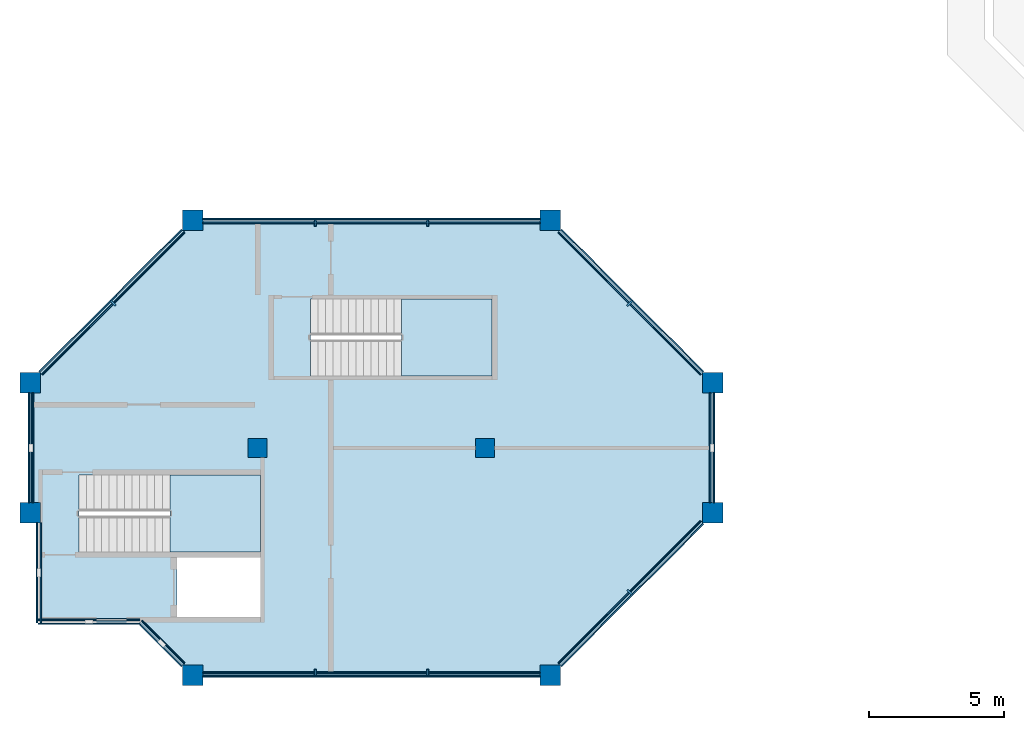
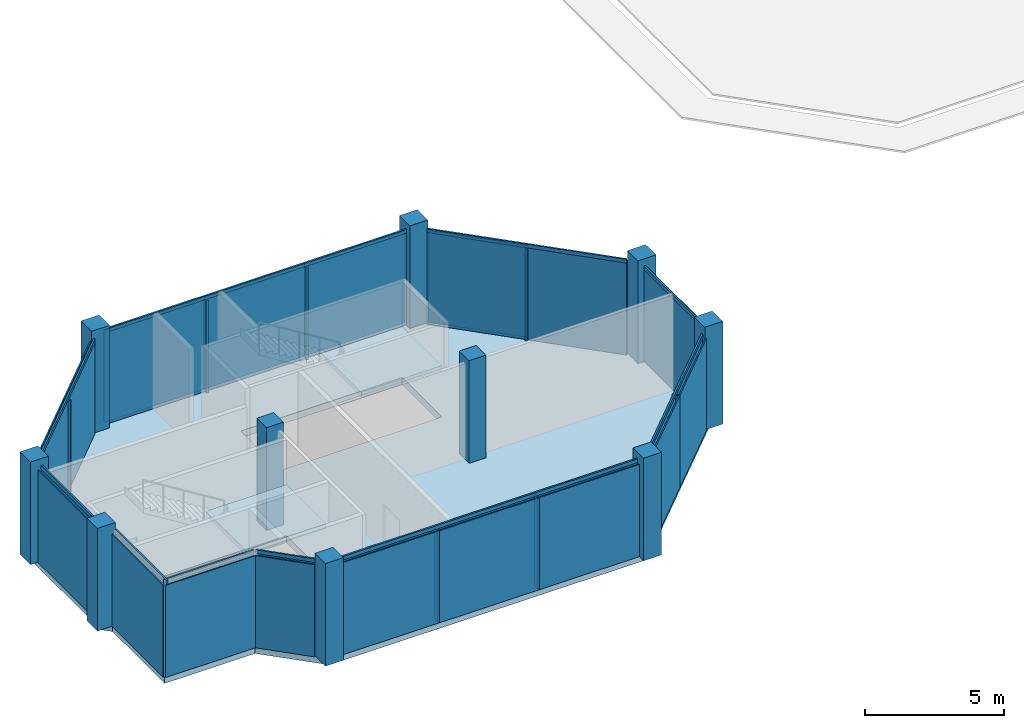
# One storey, part 1 of 4: 34 plates, 17 members, 10 columns, 3 slabs, 12 elements without a shape of their own.
"""IFC4 building model written with IfcOpenShell, lengths in metres."""

import ifcopenshell
import ifcopenshell.guid

model = None  # the IFC model being written
_history = None  # IfcOwnerHistory: only IFC2X3 demands one
_inside = {}  # id of a spatial element -> (the spatial element, [elements in it])
_under = {}  # id of a project, library or spatial element -> (it, [spatial elements below it])
_declared = {}  # id of a project -> (the project, [libraries it declares])
_typed = {}  # id of a type object -> (the type object, [elements of that type])
_made_of = {}  # id of a material, layer set ... -> (it, [elements and type objects made of it])


def new_model(schema):
    """Start an empty IFC model of exactly this schema.

    Asked for "IFC4X3", IfcOpenShell would pick the latest addendum, in which some entities
    have other attributes; the version numbers below select the first issue.
    IFC2X3 requires an IfcOwnerHistory on every rooted entity: one is made here for all.
    """
    global model, _history
    if schema == "IFC4X3":
        model = ifcopenshell.file(schema_version=(4, 3, 0, 0))
    else:
        model = ifcopenshell.file(schema=schema)
    _inside.clear()
    _under.clear()
    _declared.clear()
    _typed.clear()
    _made_of.clear()
    _history = None
    if model.schema == "IFC2X3":
        org = make("IfcOrganization", Name="unknown")
        user = make(
            "IfcPersonAndOrganization",
            ThePerson=make("IfcPerson", FamilyName="unknown"),
            TheOrganization=org,
        )
        app = make(
            "IfcApplication",
            ApplicationDeveloper=org,
            Version="unknown",
            ApplicationFullName="unknown",
            ApplicationIdentifier="unknown",
        )
        _history = make(
            "IfcOwnerHistory",
            OwningUser=user,
            OwningApplication=app,
            ChangeAction="ADDED",
            CreationDate=0,
        )
    return model


def make(cls, **values):
    """One entity of the class cls with the attributes given. An attribute that is None is left unset."""
    return model.create_entity(
        cls, **{name: value for name, value in values.items() if value is not None}
    )


def rooted(cls, **values):
    """An entity with a GlobalId (a new one), such as an element, a storey or a relation."""
    return make(cls, GlobalId=ifcopenshell.guid.new(), OwnerHistory=_history, **values)


def si_unit(unit_type, name, prefix=None):
    """IfcSIUnit, for example si_unit("LENGTHUNIT", "METRE", prefix="MILLI")."""
    return make("IfcSIUnit", UnitType=unit_type, Prefix=prefix, Name=name)


def assignment(units):
    """IfcUnitAssignment: the units of a project."""
    return None if units is None else make("IfcUnitAssignment", Units=units)


def point(xyz):
    """IfcCartesianPoint."""
    return None if xyz is None else make("IfcCartesianPoint", Coordinates=xyz)


def direction(xyz):
    """IfcDirection."""
    return None if xyz is None else make("IfcDirection", DirectionRatios=xyz)


def frame(location, z_axis=None, x_axis=None):
    """IfcAxis2Placement3D, a coordinate frame: its origin and axes. An axis left out is left unset."""
    return make(
        "IfcAxis2Placement3D",
        Location=point(location),
        Axis=direction(z_axis),
        RefDirection=direction(x_axis),
    )


def frame_2d(location, x_axis=None):
    """IfcAxis2Placement2D, a coordinate frame in the plane: its origin and x axis."""
    return make(
        "IfcAxis2Placement2D", Location=point(location), RefDirection=direction(x_axis)
    )


def origin():
    """The frame at (0, 0, 0) with its axes left unset."""
    return frame((0.0, 0.0, 0.0))


def origin_2d():
    """The frame at (0, 0) in the plane with its x axis left unset."""
    return frame_2d((0.0, 0.0))


def place(relative_to, where):
    """IfcLocalPlacement: puts the frame where relative to a parent placement (None: the world)."""
    return make(
        "IfcLocalPlacement", PlacementRelTo=relative_to, RelativePlacement=where
    )


def context(
    kind, dimensions, precision=None, world=None, true_north=None, identifier=None
):
    """IfcGeometricRepresentationContext, for example the 3D "Model" context."""
    return make(
        "IfcGeometricRepresentationContext",
        ContextIdentifier=identifier,
        ContextType=kind,
        CoordinateSpaceDimension=dimensions,
        Precision=precision,
        WorldCoordinateSystem=world,
        TrueNorth=true_north,
    )


def subcontext(parent, identifier, kind, view, scale=None):
    """IfcGeometricRepresentationSubContext, for example "Body" below "Model"."""
    return make(
        "IfcGeometricRepresentationSubContext",
        ContextIdentifier=identifier,
        ContextType=kind,
        ParentContext=parent,
        TargetScale=scale,
        TargetView=view,
    )


def project(units=None, contexts=None):
    """IfcProject with its units and contexts."""
    return rooted(
        "IfcProject",
        Name="project",
        RepresentationContexts=contexts,
        UnitsInContext=assignment(units),
    )


def spatial(cls, under=None, at=None, **own):
    """A site, building, storey or space (cls), placed at a placement, below another one or the project."""
    s = rooted(cls, ObjectPlacement=at, **own)
    if under is not None:
        _under.setdefault(under.id(), (under, []))[1].append(s)
    return s


def polyline(points):
    """IfcPolyline through the points."""
    return make("IfcPolyline", Points=[point(p) for p in points])


def profile(cls, at=None, kind="AREA", **sizes):
    """A parametric profile (cls). Its sizes go by their IFC names, for example OverallWidth=200.0."""
    return make(cls, ProfileType=kind, Position=at, **sizes)


def rectangle(**sizes):
    """IfcRectangleProfileDef."""
    return profile("IfcRectangleProfileDef", **sizes)


def outline(outer, holes=None, kind="AREA"):
    """IfcArbitraryClosedProfileDef: a profile drawn as a closed curve; with holes, ...WithVoids."""
    if holes is None:
        return make("IfcArbitraryClosedProfileDef", ProfileType=kind, OuterCurve=outer)
    return make(
        "IfcArbitraryProfileDefWithVoids",
        ProfileType=kind,
        OuterCurve=outer,
        InnerCurves=holes,
    )


def extrude(swept, where, along, depth):
    """IfcExtrudedAreaSolid: the profile swept, set in the frame where, extruded along a direction by depth."""
    return make(
        "IfcExtrudedAreaSolid",
        SweptArea=swept,
        Position=where,
        ExtrudedDirection=direction(along),
        Depth=depth,
    )


def shape(context_of_items, identifier, shape_type, items):
    """IfcShapeRepresentation: the items that make up one representation, for example the "Body"."""
    return make(
        "IfcShapeRepresentation",
        ContextOfItems=context_of_items,
        RepresentationIdentifier=identifier,
        RepresentationType=shape_type,
        Items=items,
    )


def material(Name=None, Category=None):
    """IfcMaterial."""
    return make("IfcMaterial", Name=Name, Category=Category)


def layer(
    of_material, thickness, ventilated=None, Name=None, Category=None, Priority=None
):
    """IfcMaterialLayer: one layer of a wall or slab, of a material (None: an air gap)."""
    return make(
        "IfcMaterialLayer",
        Material=of_material,
        LayerThickness=thickness,
        IsVentilated=ventilated,
        Name=Name,
        Category=Category,
        Priority=Priority,
    )


def layer_set(layers, Name=None):
    """IfcMaterialLayerSet."""
    return make("IfcMaterialLayerSet", MaterialLayers=layers, LayerSetName=Name)


def material_profile(
    of_material, cross_section, Name=None, Category=None, Priority=None
):
    """IfcMaterialProfile: a cross section and its material."""
    return make(
        "IfcMaterialProfile",
        Name=Name,
        Material=of_material,
        Profile=cross_section,
        Priority=Priority,
        Category=Category,
    )


def profile_set(profiles, Name=None, composite=None):
    """IfcMaterialProfileSet."""
    return make(
        "IfcMaterialProfileSet",
        Name=Name,
        MaterialProfiles=profiles,
        CompositeProfile=composite,
    )


def made_of(thing, what):
    """Note that an element or type object is made of a material, layer set ...; save() writes the relation."""
    if what is not None:
        _made_of.setdefault(what.id(), (what, []))[1].append(thing)
    return thing


def type_object(cls, material=None, **own):
    """A type object (cls), such as IfcWallType, which elements share."""
    return made_of(rooted(cls, **own), material)


def element(
    cls,
    number,
    at=None,
    inside=None,
    cuts=None,
    type_object=None,
    material=None,
    context=None,
    identifier="Body",
    shape_type=None,
    held_by="IfcProductDefinitionShape",
    body=None,
    shapes=None,
    **own,
):
    """One element of the class cls, such as IfcWall. Its Tag is "e" and its number.

    at: its placement. inside: the storey or other place that contains it. cuts: it is an
    opening in that element (IfcRelVoidsElement). A single representation is given by context,
    identifier, shape_type and body (its items); several are given by shapes. held_by: the class
    of the entity that holds the representations. save() writes the other relations.
    """
    e = rooted(cls, Tag="e%d" % number, ObjectPlacement=at, **own)
    if body is not None:
        shapes = [shape(context, identifier, shape_type, body)]
    if shapes is not None:
        e.Representation = make(held_by, Representations=shapes)
    if inside is not None:
        _inside.setdefault(inside.id(), (inside, []))[1].append(e)
    if cuts is not None:
        rooted(
            "IfcRelVoidsElement", RelatingBuildingElement=cuts, RelatedOpeningElement=e
        )
    if type_object is not None:
        _typed.setdefault(type_object.id(), (type_object, []))[1].append(e)
    return made_of(e, material)


def aggregate(whole, parts):
    """IfcRelAggregates: a whole, such as a stair, and the parts it consists of."""
    return rooted("IfcRelAggregates", RelatingObject=whole, RelatedObjects=parts)


def save(model, path):
    """Write the relations noted so far, then the file.

    IfcRelAggregates (storeys below a building ...), IfcRelContainedInSpatialStructure (elements
    in a storey), IfcRelDefinesByType, IfcRelAssociatesMaterial and IfcRelDeclares: one each for
    every whole, place, type object, material and project.
    """
    for whole, parts in _under.values():
        aggregate(whole, parts)
    for where, things in _inside.values():
        rooted(
            "IfcRelContainedInSpatialStructure",
            RelatedElements=things,
            RelatingStructure=where,
        )
    for kind, things in _typed.values():
        rooted("IfcRelDefinesByType", RelatedObjects=things, RelatingType=kind)
    for what, things in _made_of.values():
        rooted("IfcRelAssociatesMaterial", RelatedObjects=things, RelatingMaterial=what)
    for by, libraries in _declared.values():
        rooted("IfcRelDeclares", RelatingContext=by, RelatedDefinitions=libraries)
    model.write(path)


model = new_model("IFC4")

# Units and contexts
model_context = context("Model", 3, precision=1e-05, world=origin(), true_north=direction((0.0, 1.0)))
body_context = subcontext(model_context, "Body", "Model", "MODEL_VIEW")
ifc_project = project(units=[si_unit("LENGTHUNIT", "METRE"), si_unit("AREAUNIT", "SQUARE_METRE"), si_unit("VOLUMEUNIT", "CUBIC_METRE"), si_unit("PLANEANGLEUNIT", "RADIAN"), si_unit("MASSUNIT", "GRAM", prefix="KILO")], contexts=[model_context])

# Site, building, storey
site_placement = place(None, origin())
site = spatial("IfcSite", under=ifc_project, at=site_placement, CompositionType="ELEMENT")
building_placement = place(site_placement, origin())
building = spatial("IfcBuilding", under=site, at=building_placement, Name="Kawkab Arch Medical Tower", CompositionType="ELEMENT")
storey_placement = place(building_placement, frame((0.0, 0.0, 354.699951171875)))
storey = spatial("IfcBuildingStorey", under=building, at=storey_placement, Name="L82", CompositionType="ELEMENT", Elevation=354.699951171875)

# Columns
ifc_material_1 = material(Name="Concrete C40/50", Category="concrete")
ifc_material_profile_1 = material_profile(ifc_material_1, rectangle(XDim=0.699951171875, YDim=0.699951171875, at=origin_2d()), Name="RC 700x700")
ifc_profile_set_1 = profile_set([ifc_material_profile_1], Name="Concrete C40/50")
column_type_1 = type_object("IfcColumnType", Name="RC 700x700 column C40/50", PredefinedType="COLUMN", material=ifc_profile_set_1)
for number, where, z_axis, x_axis, name in (
    (1, (8.39990234375, -33.60009765625, 0.0), (0.0, 0.0, 1.0), (1.0, 0.0, 0.0), "Column RC 700x700"),
    (2, (16.800048828125, -33.60009765625, 0.0), (0.0, 0.0, 1.0), (1.0, 0.0, 0.0), "Column RC 700x700"),
):
    element("IfcColumn", number, at=place(storey_placement, frame(where, z_axis=z_axis, x_axis=x_axis)), inside=storey, type_object=column_type_1, Name=name, PredefinedType="COLUMN", context=body_context, shape_type="SweptSolid", body=[
        extrude(rectangle(XDim=0.699951171875, YDim=0.699951171875, at=origin_2d()), origin(), (0.0, 0.0, 1.0), 4.5),
    ])
ifc_material_2 = material(Name="Concrete C40/50", Category="concrete")
ifc_material_profile_2 = material_profile(ifc_material_2, rectangle(XDim=0.75, YDim=0.75, at=origin_2d()), Name="RC 750x750")
ifc_profile_set_2 = profile_set([ifc_material_profile_2], Name="Concrete C40/50")
column_type_2 = type_object("IfcColumnType", Name="RC 750x750 column C40/50", PredefinedType="COLUMN", material=ifc_profile_set_2)
for number, where, z_axis, x_axis, name in (
    (3, (6.0, -25.199951171875, 0.0), (0.0, 0.0, 1.0), (1.0, 0.0, 0.0), "Column RC 750x750"),
    (4, (19.199951171875, -25.199951171875, 0.0), (0.0, 0.0, 1.0), (1.0, 0.0, 0.0), "Column RC 750x750"),
    (5, (0.0, -31.199951171875, 0.0), (0.0, 0.0, 1.0), (1.0, 0.0, 0.0), "Column RC 750x750"),
    (6, (25.199951171875, -31.199951171875, 0.0), (0.0, 0.0, 1.0), (1.0, 0.0, 0.0), "Column RC 750x750"),
    (7, (0.0, -36.0, 0.0), (0.0, 0.0, 1.0), (1.0, 0.0, 0.0), "Column RC 750x750"),
    (8, (25.199951171875, -36.0, 0.0), (0.0, 0.0, 1.0), (1.0, 0.0, 0.0), "Column RC 750x750"),
    (9, (6.0, -42.0, 0.0), (0.0, 0.0, 1.0), (1.0, 0.0, 0.0), "Column RC 750x750"),
    (10, (19.199951171875, -42.0, 0.0), (0.0, 0.0, 1.0), (1.0, 0.0, 0.0), "Column RC 750x750"),
):
    element("IfcColumn", number, at=place(storey_placement, frame(where, z_axis=z_axis, x_axis=x_axis)), inside=storey, type_object=column_type_2, Name=name, PredefinedType="COLUMN", context=body_context, shape_type="SweptSolid", body=[
        extrude(rectangle(XDim=0.75, YDim=0.75, at=origin_2d()), origin(), (0.0, 0.0, 1.0), 4.5),
    ])

# Curtain wall, members
ifc_material_3 = material(Name="Bronze anodised aluminium curtain wall frame", Category="aluminium")
ifc_layer_1 = layer(ifc_material_3, 0.159912109375)
ifc_layer_set_1 = layer_set([ifc_layer_1], Name="Bronze anodised aluminium curtain wall frame")
curtain_wall_type = type_object("IfcCurtainWallType", Name="CW6 helipad lobby and crown glazing", PredefinedType="NOTDEFINED", material=ifc_layer_set_1)
placement_1 = place(storey_placement, origin())
curtain_wall_1 = element("IfcCurtainWall", 11, at=placement_1, inside=storey, type_object=curtain_wall_type, Name="CW6 Helipad lobby and crown glazing R06", PredefinedType="NOTDEFINED")
ifc_material_4 = material(Name="Bronze anodised aluminium curtain wall frame", Category="aluminium")
ifc_material_profile_3 = material_profile(ifc_material_4, rectangle(XDim=0.239990234375, YDim=0.070068359375, at=origin_2d()), Name="AL 70x240")
ifc_profile_set_3 = profile_set([ifc_material_profile_3], Name="Bronze anodised aluminium curtain wall frame")
member_type_1 = type_object("IfcMemberType", Name="CW6 mullion 70 x 240", PredefinedType="MULLION", material=ifc_profile_set_3)
member_1_placement = place(storey_placement, frame((10.52490234375, -41.89990234375, 0.0), z_axis=(0.0, 0.0, 1.0), x_axis=(0.0, 1.0, 0.0)))
member_1 = element("IfcMember", 12, at=member_1_placement, type_object=member_type_1, Name="CW6 mullion 1.1", PredefinedType="MULLION", context=body_context, shape_type="SweptSolid", body=[
    extrude(rectangle(XDim=0.239990234375, YDim=0.070068359375, at=origin_2d()), origin(), (0.0, 0.0, 1.0), 4.0400390625),
])
member_2_placement = place(storey_placement, frame((14.675048828125, -41.89990234375, 0.0), z_axis=(0.0, 0.0, 1.0), x_axis=(0.0, 1.0, 0.0)))
member_2 = element("IfcMember", 13, at=member_2_placement, type_object=member_type_1, Name="CW6 mullion 1.2", PredefinedType="MULLION", context=body_context, shape_type="SweptSolid", body=[
    extrude(rectangle(XDim=0.239990234375, YDim=0.070068359375, at=origin_2d()), origin(), (0.0, 0.0, 1.0), 4.0400390625),
])

# Curtain wall, member
curtain_wall_2 = element("IfcCurtainWall", 14, at=placement_1, inside=storey, type_object=curtain_wall_type, Name="CW6 Helipad lobby and crown glazing R07", PredefinedType="NOTDEFINED")
member_3_placement = place(storey_placement, frame((22.12939453125, -38.92919921875, 0.0), z_axis=(0.0, 0.0, 1.0), x_axis=(-0.707106781187, 0.707106781187, 0.0)))
member_3 = element("IfcMember", 15, at=member_3_placement, type_object=member_type_1, Name="CW6 mullion 1.1", PredefinedType="MULLION", context=body_context, shape_type="SweptSolid", body=[
    extrude(rectangle(XDim=0.239990234375, YDim=0.070068359375, at=origin_2d()), origin(), (0.0, 0.0, 1.0), 4.0400390625),
])

curtain_wall_3 = element("IfcCurtainWall", 16, at=placement_1, inside=storey, type_object=curtain_wall_type, Name="CW6 Helipad lobby and crown glazing R09", PredefinedType="NOTDEFINED")
member_4_placement = place(storey_placement, frame((22.12939453125, -28.270751953125, 0.0), z_axis=(0.0, 0.0, 1.0), x_axis=(-0.707106781187, -0.707106781187, 0.0)))
member_4 = element("IfcMember", 17, at=member_4_placement, type_object=member_type_1, Name="CW6 mullion 1.1", PredefinedType="MULLION", context=body_context, shape_type="SweptSolid", body=[
    extrude(rectangle(XDim=0.239990234375, YDim=0.070068359375, at=origin_2d()), origin(), (0.0, 0.0, 1.0), 4.0400390625),
])

# Curtain wall, members
curtain_wall_4 = element("IfcCurtainWall", 18, at=placement_1, inside=storey, type_object=curtain_wall_type, Name="CW6 Helipad lobby and crown glazing R10", PredefinedType="NOTDEFINED")
member_5_placement = place(storey_placement, frame((14.675048828125, -25.300048828125, 0.0), z_axis=(0.0, 0.0, 1.0), x_axis=(0.0, -1.0, 0.0)))
member_5 = element("IfcMember", 19, at=member_5_placement, type_object=member_type_1, Name="CW6 mullion 1.1", PredefinedType="MULLION", context=body_context, shape_type="SweptSolid", body=[
    extrude(rectangle(XDim=0.239990234375, YDim=0.070068359375, at=origin_2d()), origin(), (0.0, 0.0, 1.0), 4.0400390625),
])
member_6_placement = place(storey_placement, frame((10.52490234375, -25.300048828125, 0.0), z_axis=(0.0, 0.0, 1.0), x_axis=(0.0, -1.0, 0.0)))
member_6 = element("IfcMember", 20, at=member_6_placement, type_object=member_type_1, Name="CW6 mullion 1.2", PredefinedType="MULLION", context=body_context, shape_type="SweptSolid", body=[
    extrude(rectangle(XDim=0.239990234375, YDim=0.070068359375, at=origin_2d()), origin(), (0.0, 0.0, 1.0), 4.0400390625),
])

# Curtain wall, member
curtain_wall_5 = element("IfcCurtainWall", 21, at=placement_1, inside=storey, type_object=curtain_wall_type, Name="CW6 Helipad lobby and crown glazing R11", PredefinedType="NOTDEFINED")
member_7_placement = place(storey_placement, frame((3.07080078125, -28.270751953125, 0.0), z_axis=(0.0, 0.0, 1.0), x_axis=(0.707106781187, -0.707106781187, 0.0)))
member_7 = element("IfcMember", 22, at=member_7_placement, type_object=member_type_1, Name="CW6 mullion 1.1", PredefinedType="MULLION", context=body_context, shape_type="SweptSolid", body=[
    extrude(rectangle(XDim=0.239990234375, YDim=0.070068359375, at=origin_2d()), origin(), (0.0, 0.0, 1.0), 4.0400390625),
])

curtain_wall_6 = element("IfcCurtainWall", 23, at=placement_1, inside=storey, type_object=curtain_wall_type, Name="CW6 Helipad lobby and crown glazing R01", PredefinedType="NOTDEFINED")
ifc_material_5 = material(Name="Bronze anodised aluminium curtain wall frame", Category="aluminium")
ifc_material_profile_4 = material_profile(ifc_material_5, rectangle(XDim=0.070068359375, YDim=0.159912109375, at=origin_2d()), Name="AL 70x160")
ifc_profile_set_4 = profile_set([ifc_material_profile_4], Name="Bronze anodised aluminium curtain wall frame")
member_type_2 = type_object("IfcMemberType", Name="CW6 transom 160 x 70", PredefinedType="USERDEFINED", material=ifc_profile_set_4)
member_8_placement = place(storey_placement, frame((0.10009765625, -31.574951171875, 4.1201171875), z_axis=(0.0, -1.0, 0.0), x_axis=(1.0, 0.0, 0.0)))
member_8 = element("IfcMember", 24, at=member_8_placement, type_object=member_type_2, Name="CW6 transom 1", ObjectType="TRANSOM", PredefinedType="USERDEFINED", context=body_context, shape_type="SweptSolid", body=[
    extrude(rectangle(XDim=0.070068359375, YDim=0.159912109375, at=origin_2d()), origin(), (0.0, 0.0, 1.0), 4.050048828125),
])

curtain_wall_7 = element("IfcCurtainWall", 25, at=placement_1, inside=storey, type_object=curtain_wall_type, Name="CW6 Helipad lobby and crown glazing R03", PredefinedType="NOTDEFINED")
member_9_placement = place(storey_placement, frame((0.39990234375, -36.375, 4.1201171875), z_axis=(0.0, -1.0, 0.0), x_axis=(1.0, 0.0, 0.0)))
member_9 = element("IfcMember", 26, at=member_9_placement, type_object=member_type_2, Name="CW6 transom 1", ObjectType="TRANSOM", PredefinedType="USERDEFINED", context=body_context, shape_type="SweptSolid", body=[
    extrude(rectangle(XDim=0.070068359375, YDim=0.159912109375, at=origin_2d()), origin(), (0.0, 0.0, 1.0), 3.675048828125),
])

curtain_wall_8 = element("IfcCurtainWall", 27, at=placement_1, inside=storey, type_object=curtain_wall_type, Name="CW6 Helipad lobby and crown glazing R04", PredefinedType="NOTDEFINED")
member_10_placement = place(storey_placement, frame((0.300048828125, -39.949951171875, 4.1201171875), z_axis=(1.0, 0.0, 0.0), x_axis=(0.0, 1.0, 0.0)))
member_10 = element("IfcMember", 28, at=member_10_placement, type_object=member_type_2, Name="CW6 transom 1", ObjectType="TRANSOM", PredefinedType="USERDEFINED", context=body_context, shape_type="SweptSolid", body=[
    extrude(rectangle(XDim=0.070068359375, YDim=0.159912109375, at=origin_2d()), origin(), (0.0, 0.0, 1.0), 3.75),
])

curtain_wall_9 = element("IfcCurtainWall", 29, at=placement_1, inside=storey, type_object=curtain_wall_type, Name="CW6 Helipad lobby and crown glazing R05", PredefinedType="NOTDEFINED")
member_11_placement = place(storey_placement, frame((4.12060546875, -39.979248046875, 4.1201171875), z_axis=(0.707161580797, -0.707051977329, 0.0), x_axis=(0.707051977329, 0.707161580797, 0.0)))
member_11 = element("IfcMember", 30, at=member_11_placement, type_object=member_type_2, Name="CW6 transom 1", ObjectType="TRANSOM", PredefinedType="USERDEFINED", context=body_context, shape_type="SweptSolid", body=[
    extrude(rectangle(XDim=0.070068359375, YDim=0.159912109375, at=origin_2d()), origin(), (0.0, 0.0, 1.0), 2.2275390625),
])

# Member
member_12_placement = place(storey_placement, frame((6.375, -41.89990234375, 4.1201171875), z_axis=(1.0, 0.0, 0.0), x_axis=(0.0, 1.0, 0.0)))
member_12 = element("IfcMember", 31, at=member_12_placement, type_object=member_type_2, Name="CW6 transom 1", ObjectType="TRANSOM", PredefinedType="USERDEFINED", context=body_context, shape_type="SweptSolid", body=[
    extrude(rectangle(XDim=0.070068359375, YDim=0.159912109375, at=origin_2d()), origin(), (0.0, 0.0, 1.0), 12.449951171875),
])

member_13_placement = place(storey_placement, frame((19.50439453125, -41.55419921875, 4.1201171875), z_axis=(0.707106781187, 0.707106781187, 0.0), x_axis=(-0.707106781187, 0.707106781187, 0.0)))
member_13 = element("IfcMember", 32, at=member_13_placement, type_object=member_type_2, Name="CW6 transom 1", ObjectType="TRANSOM", PredefinedType="USERDEFINED", context=body_context, shape_type="SweptSolid", body=[
    extrude(rectangle(XDim=0.070068359375, YDim=0.159912109375, at=origin_2d()), origin(), (0.0, 0.0, 1.0), 7.424560546875),
])

# Curtain wall, member
curtain_wall_10 = element("IfcCurtainWall", 33, at=placement_1, inside=storey, type_object=curtain_wall_type, Name="CW6 Helipad lobby and crown glazing R08", PredefinedType="NOTDEFINED")
member_14_placement = place(storey_placement, frame((25.10009765625, -35.625, 4.1201171875), z_axis=(0.0, 1.0, 0.0), x_axis=(-1.0, 0.0, 0.0)))
member_14 = element("IfcMember", 34, at=member_14_placement, type_object=member_type_2, Name="CW6 transom 1", ObjectType="TRANSOM", PredefinedType="USERDEFINED", context=body_context, shape_type="SweptSolid", body=[
    extrude(rectangle(XDim=0.070068359375, YDim=0.159912109375, at=origin_2d()), origin(), (0.0, 0.0, 1.0), 4.050048828125),
])

# Member
member_15_placement = place(storey_placement, frame((24.75439453125, -30.895751953125, 4.1201171875), z_axis=(-0.707123221898, 0.707090340093, 0.0), x_axis=(-0.707090340093, -0.707123221898, 0.0)))
member_15 = element("IfcMember", 35, at=member_15_placement, type_object=member_type_2, Name="CW6 transom 1", ObjectType="TRANSOM", PredefinedType="USERDEFINED", context=body_context, shape_type="SweptSolid", body=[
    extrude(rectangle(XDim=0.070068359375, YDim=0.159912109375, at=origin_2d()), origin(), (0.0, 0.0, 1.0), 7.4248046875),
])

member_16_placement = place(storey_placement, frame((18.824951171875, -25.300048828125, 4.1201171875), z_axis=(-1.0, 0.0, 0.0), x_axis=(0.0, -1.0, 0.0)))
member_16 = element("IfcMember", 36, at=member_16_placement, type_object=member_type_2, Name="CW6 transom 1", ObjectType="TRANSOM", PredefinedType="USERDEFINED", context=body_context, shape_type="SweptSolid", body=[
    extrude(rectangle(XDim=0.070068359375, YDim=0.159912109375, at=origin_2d()), origin(), (0.0, 0.0, 1.0), 12.449951171875),
])

member_17_placement = place(storey_placement, frame((5.69580078125, -25.645751953125, 4.1201171875), z_axis=(-0.707123221898, -0.707090340093, 0.0), x_axis=(0.707090340093, -0.707123221898, 0.0)))
member_17 = element("IfcMember", 37, at=member_17_placement, type_object=member_type_2, Name="CW6 transom 1", ObjectType="TRANSOM", PredefinedType="USERDEFINED", context=body_context, shape_type="SweptSolid", body=[
    extrude(rectangle(XDim=0.070068359375, YDim=0.159912109375, at=origin_2d()), origin(), (0.0, 0.0, 1.0), 7.4248046875),
])

# Plate
ifc_material_6 = material(Name="Tinted laminated insulating glass, low iron", Category="glass")
ifc_layer_2 = layer(ifc_material_6, 0.0400390625)
ifc_layer_set_2 = layer_set([ifc_layer_2], Name="Tinted laminated insulating glass, low iron")
plate_type_1 = type_object("IfcPlateType", Name="CW6 glazing unit 40", PredefinedType="CURTAIN_PANEL", material=ifc_layer_set_2)
plate_1_placement = place(storey_placement, frame((0.10009765625, -33.60009765625, 0.0), z_axis=(0.0, 0.0, 1.0), x_axis=(0.0, -1.0, 0.0)))
plate_1 = element("IfcPlate", 38, at=plate_1_placement, type_object=plate_type_1, Name="CW6 glazing unit 1.1", PredefinedType="CURTAIN_PANEL", context=body_context, shape_type="SweptSolid", body=[
    extrude(rectangle(XDim=4.050048828125, YDim=0.0400390625, at=origin_2d()), origin(), (0.0, 0.0, 1.0), 4.0400390625),
])

aggregate(curtain_wall_6, [member_8, plate_1])

plate_2_placement = place(storey_placement, frame((0.39990234375, -38.21240234375, 0.0), z_axis=(0.0, 0.0, 1.0), x_axis=(0.0, -1.0, 0.0)))
plate_2 = element("IfcPlate", 39, at=plate_2_placement, type_object=plate_type_1, Name="CW6 glazing unit 1.1", PredefinedType="CURTAIN_PANEL", context=body_context, shape_type="SweptSolid", body=[
    extrude(rectangle(XDim=3.675048828125, YDim=0.0400390625, at=origin_2d()), origin(), (0.0, 0.0, 1.0), 4.0400390625),
])

aggregate(curtain_wall_7, [member_9, plate_2])

plate_3_placement = place(storey_placement, frame((2.175048828125, -39.949951171875, 0.0), z_axis=(0.0, 0.0, 1.0), x_axis=(1.0, 0.0, 0.0)))
plate_3 = element("IfcPlate", 40, at=plate_3_placement, type_object=plate_type_1, Name="CW6 glazing unit 1.1", PredefinedType="CURTAIN_PANEL", context=body_context, shape_type="SweptSolid", body=[
    extrude(rectangle(XDim=3.75, YDim=0.0400390625, at=origin_2d()), origin(), (0.0, 0.0, 1.0), 4.0400390625),
])

aggregate(curtain_wall_8, [member_10, plate_3])

plate_4_placement = place(storey_placement, frame((4.908203125, -40.766845703125, 0.0), z_axis=(0.0, 0.0, 1.0), x_axis=(0.707106781187, -0.707106781187, 0.0)))
plate_4 = element("IfcPlate", 41, at=plate_4_placement, type_object=plate_type_1, Name="CW6 glazing unit 1.1", PredefinedType="CURTAIN_PANEL", context=body_context, shape_type="SweptSolid", body=[
    extrude(rectangle(XDim=2.227294921875, YDim=0.0400390625, at=origin_2d()), origin(), (0.0, 0.0, 1.0), 4.0400390625),
])

aggregate(curtain_wall_9, [member_11, plate_4])

plate_5_placement = place(storey_placement, frame((8.4326171875, -41.89990234375, 0.0), z_axis=(0.0, 0.0, 1.0), x_axis=(1.0, 0.0, 0.0)))
plate_5 = element("IfcPlate", 42, at=plate_5_placement, type_object=plate_type_1, Name="CW6 glazing unit 1.1", PredefinedType="CURTAIN_PANEL", context=body_context, shape_type="SweptSolid", body=[
    extrude(rectangle(XDim=4.114990234375, YDim=0.0400390625, at=origin_2d()), origin(), (0.0, 0.0, 1.0), 4.0400390625),
])

plate_6_placement = place(storey_placement, frame((12.60009765625, -41.89990234375, 0.0), z_axis=(0.0, 0.0, 1.0), x_axis=(1.0, 0.0, 0.0)))
plate_6 = element("IfcPlate", 43, at=plate_6_placement, type_object=plate_type_1, Name="CW6 glazing unit 1.2", PredefinedType="CURTAIN_PANEL", context=body_context, shape_type="SweptSolid", body=[
    extrude(rectangle(XDim=4.080078125, YDim=0.0400390625, at=origin_2d()), origin(), (0.0, 0.0, 1.0), 4.0400390625),
])

plate_7_placement = place(storey_placement, frame((16.767578125, -41.89990234375, 0.0), z_axis=(0.0, 0.0, 1.0), x_axis=(1.0, 0.0, 0.0)))
plate_7 = element("IfcPlate", 44, at=plate_7_placement, type_object=plate_type_1, Name="CW6 glazing unit 1.3", PredefinedType="CURTAIN_PANEL", context=body_context, shape_type="SweptSolid", body=[
    extrude(rectangle(XDim=4.114990234375, YDim=0.0400390625, at=origin_2d()), origin(), (0.0, 0.0, 1.0), 4.0400390625),
])

aggregate(curtain_wall_1, [member_12, plate_5, member_1, plate_6, member_2, plate_7])

plate_8_placement = place(storey_placement, frame((20.804443359375, -40.254150390625, 0.0), z_axis=(0.0, 0.0, 1.0), x_axis=(0.707106781187, 0.707106781187, 0.0)))
plate_8 = element("IfcPlate", 45, at=plate_8_placement, type_object=plate_type_1, Name="CW6 glazing unit 1.1", PredefinedType="CURTAIN_PANEL", context=body_context, shape_type="SweptSolid", body=[
    extrude(rectangle(XDim=3.67724609375, YDim=0.0400390625, at=origin_2d()), origin(), (0.0, 0.0, 1.0), 4.0400390625),
])

plate_9_placement = place(storey_placement, frame((23.4541015625, -37.6044921875, 0.0), z_axis=(0.0, 0.0, 1.0), x_axis=(0.707106781187, 0.707106781187, 0.0)))
plate_9 = element("IfcPlate", 46, at=plate_9_placement, type_object=plate_type_1, Name="CW6 glazing unit 1.2", PredefinedType="CURTAIN_PANEL", context=body_context, shape_type="SweptSolid", body=[
    extrude(rectangle(XDim=3.67724609375, YDim=0.0400390625, at=origin_2d()), origin(), (0.0, 0.0, 1.0), 4.0400390625),
])

aggregate(curtain_wall_2, [member_13, plate_8, member_3, plate_9])

plate_10_placement = place(storey_placement, frame((25.10009765625, -33.60009765625, 0.0), z_axis=(0.0, 0.0, 1.0), x_axis=(0.0, 1.0, 0.0)))
plate_10 = element("IfcPlate", 47, at=plate_10_placement, type_object=plate_type_1, Name="CW6 glazing unit 1.1", PredefinedType="CURTAIN_PANEL", context=body_context, shape_type="SweptSolid", body=[
    extrude(rectangle(XDim=4.050048828125, YDim=0.0400390625, at=origin_2d()), origin(), (0.0, 0.0, 1.0), 4.0400390625),
])

aggregate(curtain_wall_10, [member_14, plate_10])

plate_11_placement = place(storey_placement, frame((23.4541015625, -29.595703125, 0.0), z_axis=(0.0, 0.0, 1.0), x_axis=(-0.707106781187, 0.707106781187, 0.0)))
plate_11 = element("IfcPlate", 48, at=plate_11_placement, type_object=plate_type_1, Name="CW6 glazing unit 1.1", PredefinedType="CURTAIN_PANEL", context=body_context, shape_type="SweptSolid", body=[
    extrude(rectangle(XDim=3.67724609375, YDim=0.0400390625, at=origin_2d()), origin(), (0.0, 0.0, 1.0), 4.0400390625),
])

plate_12_placement = place(storey_placement, frame((20.804443359375, -26.94580078125, 0.0), z_axis=(0.0, 0.0, 1.0), x_axis=(-0.707106781187, 0.707106781187, 0.0)))
plate_12 = element("IfcPlate", 49, at=plate_12_placement, type_object=plate_type_1, Name="CW6 glazing unit 1.2", PredefinedType="CURTAIN_PANEL", context=body_context, shape_type="SweptSolid", body=[
    extrude(rectangle(XDim=3.67724609375, YDim=0.0400390625, at=origin_2d()), origin(), (0.0, 0.0, 1.0), 4.0400390625),
])

aggregate(curtain_wall_3, [member_15, plate_11, member_4, plate_12])

plate_13_placement = place(storey_placement, frame((16.767578125, -25.300048828125, 0.0), z_axis=(0.0, 0.0, 1.0), x_axis=(-1.0, 0.0, 0.0)))
plate_13 = element("IfcPlate", 50, at=plate_13_placement, type_object=plate_type_1, Name="CW6 glazing unit 1.1", PredefinedType="CURTAIN_PANEL", context=body_context, shape_type="SweptSolid", body=[
    extrude(rectangle(XDim=4.114990234375, YDim=0.0400390625, at=origin_2d()), origin(), (0.0, 0.0, 1.0), 4.0400390625),
])

plate_14_placement = place(storey_placement, frame((12.60009765625, -25.300048828125, 0.0), z_axis=(0.0, 0.0, 1.0), x_axis=(-1.0, 0.0, 0.0)))
plate_14 = element("IfcPlate", 51, at=plate_14_placement, type_object=plate_type_1, Name="CW6 glazing unit 1.2", PredefinedType="CURTAIN_PANEL", context=body_context, shape_type="SweptSolid", body=[
    extrude(rectangle(XDim=4.080078125, YDim=0.0400390625, at=origin_2d()), origin(), (0.0, 0.0, 1.0), 4.0400390625),
])

plate_15_placement = place(storey_placement, frame((8.4326171875, -25.300048828125, 0.0), z_axis=(0.0, 0.0, 1.0), x_axis=(-1.0, 0.0, 0.0)))
plate_15 = element("IfcPlate", 52, at=plate_15_placement, type_object=plate_type_1, Name="CW6 glazing unit 1.3", PredefinedType="CURTAIN_PANEL", context=body_context, shape_type="SweptSolid", body=[
    extrude(rectangle(XDim=4.114990234375, YDim=0.0400390625, at=origin_2d()), origin(), (0.0, 0.0, 1.0), 4.0400390625),
])

aggregate(curtain_wall_4, [member_16, plate_13, member_5, plate_14, member_6, plate_15])

plate_16_placement = place(storey_placement, frame((4.3955078125, -26.94580078125, 0.0), z_axis=(0.0, 0.0, 1.0), x_axis=(-0.707106781187, -0.707106781187, 0.0)))
plate_16 = element("IfcPlate", 53, at=plate_16_placement, type_object=plate_type_1, Name="CW6 glazing unit 1.1", PredefinedType="CURTAIN_PANEL", context=body_context, shape_type="SweptSolid", body=[
    extrude(rectangle(XDim=3.67724609375, YDim=0.0400390625, at=origin_2d()), origin(), (0.0, 0.0, 1.0), 4.0400390625),
])

plate_17_placement = place(storey_placement, frame((1.745849609375, -29.595703125, 0.0), z_axis=(0.0, 0.0, 1.0), x_axis=(-0.707106781187, -0.707106781187, 0.0)))
plate_17 = element("IfcPlate", 54, at=plate_17_placement, type_object=plate_type_1, Name="CW6 glazing unit 1.2", PredefinedType="CURTAIN_PANEL", context=body_context, shape_type="SweptSolid", body=[
    extrude(rectangle(XDim=3.67724609375, YDim=0.0400390625, at=origin_2d()), origin(), (0.0, 0.0, 1.0), 4.0400390625),
])

aggregate(curtain_wall_5, [member_17, plate_16, member_7, plate_17])

# Plates
ifc_material_7 = material(Name="Bronze anodised aluminium perforated screen", Category="aluminium")
ifc_layer_3 = layer(ifc_material_7, 0.050048828125)
ifc_layer_set_3 = layer_set([ifc_layer_3], Name="Bronze anodised aluminium perforated screen")
plate_type_2 = type_object("IfcPlateType", Name="Crown perforated star screen 50", PredefinedType="USERDEFINED", material=ifc_layer_set_3)
plate_18_placement = place(storey_placement, frame((-0.044921875, -33.60009765625, 0.0), z_axis=(0.0, 0.0, 1.0), x_axis=(0.0, -1.0, 0.0)))
element("IfcPlate", 55, at=plate_18_placement, inside=storey, type_object=plate_type_2, Name="Crown screen L82 R01.1.1", ObjectType="SCREEN", PredefinedType="USERDEFINED", context=body_context, shape_type="SweptSolid", body=[
    extrude(rectangle(XDim=4.050048828125, YDim=0.050048828125, at=origin_2d()), origin(), (0.0, 0.0, 1.0), 4.0400390625),
])
plate_19_placement = place(storey_placement, frame((0.2548828125, -38.21240234375, 0.0), z_axis=(0.0, 0.0, 1.0), x_axis=(0.0, -1.0, 0.0)))
element("IfcPlate", 56, at=plate_19_placement, inside=storey, type_object=plate_type_2, Name="Crown screen L82 R03.1.1", ObjectType="SCREEN", PredefinedType="USERDEFINED", context=body_context, shape_type="SweptSolid", body=[
    extrude(rectangle(XDim=3.675048828125, YDim=0.050048828125, at=origin_2d()), origin(), (0.0, 0.0, 1.0), 4.0400390625),
])
plate_20_placement = place(storey_placement, frame((2.175048828125, -40.094970703125, 0.0), z_axis=(0.0, 0.0, 1.0), x_axis=(1.0, 0.0, 0.0)))
element("IfcPlate", 57, at=plate_20_placement, inside=storey, type_object=plate_type_2, Name="Crown screen L82 R04.1.1", ObjectType="SCREEN", PredefinedType="USERDEFINED", context=body_context, shape_type="SweptSolid", body=[
    extrude(rectangle(XDim=3.75, YDim=0.050048828125, at=origin_2d()), origin(), (0.0, 0.0, 1.0), 4.0400390625),
])
plate_21_placement = place(storey_placement, frame((4.8056640625, -40.869384765625, 0.0), z_axis=(0.0, 0.0, 1.0), x_axis=(0.707106781187, -0.707106781187, 0.0)))
element("IfcPlate", 58, at=plate_21_placement, inside=storey, type_object=plate_type_2, Name="Crown screen L82 R05.1.1", ObjectType="SCREEN", PredefinedType="USERDEFINED", context=body_context, shape_type="SweptSolid", body=[
    extrude(rectangle(XDim=2.227294921875, YDim=0.050048828125, at=origin_2d()), origin(), (0.0, 0.0, 1.0), 4.0400390625),
])
for number, where, z_axis, x_axis, name in (
    (59, (8.449951171875, -42.044921875, 0.0), (0.0, 0.0, 1.0), (1.0, 0.0, 0.0), "Crown screen L82 R06.1.1"),
    (60, (12.60009765625, -42.044921875, 0.0), (0.0, 0.0, 1.0), (1.0, 0.0, 0.0), "Crown screen L82 R06.1.2"),
    (61, (16.75, -42.044921875, 0.0), (0.0, 0.0, 1.0), (1.0, 0.0, 0.0), "Crown screen L82 R06.1.3"),
):
    element("IfcPlate", number, at=place(storey_placement, frame(where, z_axis=z_axis, x_axis=x_axis)), inside=storey, type_object=plate_type_2, Name=name, ObjectType="SCREEN", PredefinedType="USERDEFINED", context=body_context, shape_type="SweptSolid", body=[
        extrude(rectangle(XDim=4.14990234375, YDim=0.050048828125, at=origin_2d()), origin(), (0.0, 0.0, 1.0), 4.0400390625),
    ])
for number, where, z_axis, x_axis, name in (
    (62, (20.919189453125, -40.34423828125, 0.0), (0.0, 0.0, 1.0), (0.707106781187, 0.707106781187, 0.0), "Crown screen L82 R07.1.1"),
    (63, (23.54443359375, -37.71923828125, 0.0), (0.0, 0.0, 1.0), (0.707106781187, 0.707106781187, 0.0), "Crown screen L82 R07.1.2"),
):
    element("IfcPlate", number, at=place(storey_placement, frame(where, z_axis=z_axis, x_axis=x_axis)), inside=storey, type_object=plate_type_2, Name=name, ObjectType="SCREEN", PredefinedType="USERDEFINED", context=body_context, shape_type="SweptSolid", body=[
        extrude(rectangle(XDim=3.71240234375, YDim=0.050048828125, at=origin_2d()), origin(), (0.0, 0.0, 1.0), 4.0400390625),
    ])
plate_22_placement = place(storey_placement, frame((25.2451171875, -33.60009765625, 0.0), z_axis=(0.0, 0.0, 1.0), x_axis=(0.0, 1.0, 0.0)))
element("IfcPlate", 64, at=plate_22_placement, inside=storey, type_object=plate_type_2, Name="Crown screen L82 R08.1.1", ObjectType="SCREEN", PredefinedType="USERDEFINED", context=body_context, shape_type="SweptSolid", body=[
    extrude(rectangle(XDim=4.050048828125, YDim=0.050048828125, at=origin_2d()), origin(), (0.0, 0.0, 1.0), 4.0400390625),
])
for number, where, z_axis, x_axis, name in (
    (65, (23.544189453125, -29.480712890625, 0.0), (0.0, 0.0, 1.0), (-0.707106781187, 0.707106781187, 0.0), "Crown screen L82 R09.1.1"),
    (66, (20.919189453125, -26.855712890625, 0.0), (0.0, 0.0, 1.0), (-0.707106781187, 0.707106781187, 0.0), "Crown screen L82 R09.1.2"),
):
    element("IfcPlate", number, at=place(storey_placement, frame(where, z_axis=z_axis, x_axis=x_axis)), inside=storey, type_object=plate_type_2, Name=name, ObjectType="SCREEN", PredefinedType="USERDEFINED", context=body_context, shape_type="SweptSolid", body=[
        extrude(rectangle(XDim=3.71240234375, YDim=0.050048828125, at=origin_2d()), origin(), (0.0, 0.0, 1.0), 4.0400390625),
    ])
for number, where, z_axis, x_axis, name in (
    (67, (16.75, -25.155029296875, 0.0), (0.0, 0.0, 1.0), (-1.0, 0.0, 0.0), "Crown screen L82 R10.1.1"),
    (68, (12.60009765625, -25.155029296875, 0.0), (0.0, 0.0, 1.0), (-1.0, 0.0, 0.0), "Crown screen L82 R10.1.2"),
    (69, (8.449951171875, -25.155029296875, 0.0), (0.0, 0.0, 1.0), (-1.0, 0.0, 0.0), "Crown screen L82 R10.1.3"),
):
    element("IfcPlate", number, at=place(storey_placement, frame(where, z_axis=z_axis, x_axis=x_axis)), inside=storey, type_object=plate_type_2, Name=name, ObjectType="SCREEN", PredefinedType="USERDEFINED", context=body_context, shape_type="SweptSolid", body=[
        extrude(rectangle(XDim=4.14990234375, YDim=0.050048828125, at=origin_2d()), origin(), (0.0, 0.0, 1.0), 4.0400390625),
    ])
for number, where, z_axis, x_axis, name in (
    (70, (4.28076171875, -26.855712890625, 0.0), (0.0, 0.0, 1.0), (-0.707106781187, -0.707106781187, 0.0), "Crown screen L82 R11.1.1"),
    (71, (1.655517578125, -29.480712890625, 0.0), (0.0, 0.0, 1.0), (-0.707106781187, -0.707106781187, 0.0), "Crown screen L82 R11.1.2"),
):
    element("IfcPlate", number, at=place(storey_placement, frame(where, z_axis=z_axis, x_axis=x_axis)), inside=storey, type_object=plate_type_2, Name=name, ObjectType="SCREEN", PredefinedType="USERDEFINED", context=body_context, shape_type="SweptSolid", body=[
        extrude(rectangle(XDim=3.71240234375, YDim=0.050048828125, at=origin_2d()), origin(), (0.0, 0.0, 1.0), 4.0400390625),
    ])

# Stair, slab
ifc_material_8 = material(Name="Concrete C40/50", Category="concrete")
stair_type = type_object("IfcStairType", Name="Exit stair 1350", PredefinedType="HALF_TURN_STAIR", material=ifc_material_8)
stair_1 = element("IfcStair", 72, at=placement_1, inside=storey, type_object=stair_type, Name="L82 Exit stair ST6", PredefinedType="HALF_TURN_STAIR")
ifc_material_9 = material(Name="Concrete C40/50", Category="concrete")
ifc_layer_4 = layer(ifc_material_9, 0.199951171875)
ifc_layer_set_4 = layer_set([ifc_layer_4], Name="Concrete C40/50")
slab_type_1 = type_object("IfcSlabType", Name="Exit stair landing 200", PredefinedType="LANDING", material=ifc_layer_set_4)
placement_2 = place(storey_placement, frame((0.0, 0.0, 2.050048828125)))
slab_1 = element("IfcSlab", 73, at=placement_2, type_object=slab_type_1, Name="ST6 landing 1", PredefinedType="LANDING", context=body_context, shape_type="SweptSolid", body=[
    extrude(outline(polyline([(5.159912109375, -37.449951171875), (8.5, -37.449951171875), (8.5, -34.60009765625), (5.159912109375, -34.60009765625), (5.159912109375, -37.449951171875)])), origin(), (0.0, 0.0, 1.0), 0.199951171875),
])
aggregate(stair_1, [slab_1])

stair_2 = element("IfcStair", 74, at=placement_1, inside=storey, type_object=stair_type, Name="L82 Exit stair ST9", PredefinedType="HALF_TURN_STAIR")
slab_2 = element("IfcSlab", 75, at=placement_2, type_object=slab_type_1, Name="ST9 landing 1", PredefinedType="LANDING", context=body_context, shape_type="SweptSolid", body=[
    extrude(outline(polyline([(13.7099609375, -30.949951171875), (17.050048828125, -30.949951171875), (17.050048828125, -28.10009765625), (13.7099609375, -28.10009765625), (13.7099609375, -30.949951171875)])), origin(), (0.0, 0.0, 1.0), 0.199951171875),
])
aggregate(stair_2, [slab_2])

# Slab
ifc_material_10 = material(Name="Concrete C40/50", Category="concrete")
ifc_layer_5 = layer(ifc_material_10, 0.300048828125)
ifc_layer_set_5 = layer_set([ifc_layer_5], Name="Concrete C40/50")
slab_type_2 = type_object("IfcSlabType", Name="Flat plate 300 C40/50", PredefinedType="FLOOR", material=ifc_layer_set_5)
slab_3_placement = place(storey_placement, frame((0.0, 0.0, -0.300048828125)))
element("IfcSlab", 76, at=slab_3_placement, inside=storey, type_object=slab_type_2, Name="Floor slab L82", PredefinedType="FLOOR", context=body_context, shape_type="SweptSolid", body=[
    extrude(outline(polyline([(6.0, -25.199951171875), (19.199951171875, -25.199951171875), (25.199951171875, -31.199951171875), (25.199951171875, -36.0), (19.199951171875, -42.0), (6.0, -42.0), (4.050048828125, -40.050048828125), (0.300048828125, -40.050048828125), (0.300048828125, -36.300048828125), (0.0, -36.0), (0.0, -31.199951171875), (6.0, -25.199951171875)]), holes=[polyline([(8.5, -37.64990234375), (5.425048828125, -37.64990234375), (5.425048828125, -39.85009765625), (8.5, -39.85009765625), (8.5, -37.64990234375)]), polyline([(1.800048828125, -34.60009765625), (1.800048828125, -37.449951171875), (8.5, -37.449951171875), (8.5, -34.60009765625), (1.800048828125, -34.60009765625)]), polyline([(10.35009765625, -28.10009765625), (10.35009765625, -30.949951171875), (17.050048828125, -30.949951171875), (17.050048828125, -28.10009765625), (10.35009765625, -28.10009765625)])]), origin(), (0.0, 0.0, 1.0), 0.300048828125),
])

save(model, "model.ifc")
